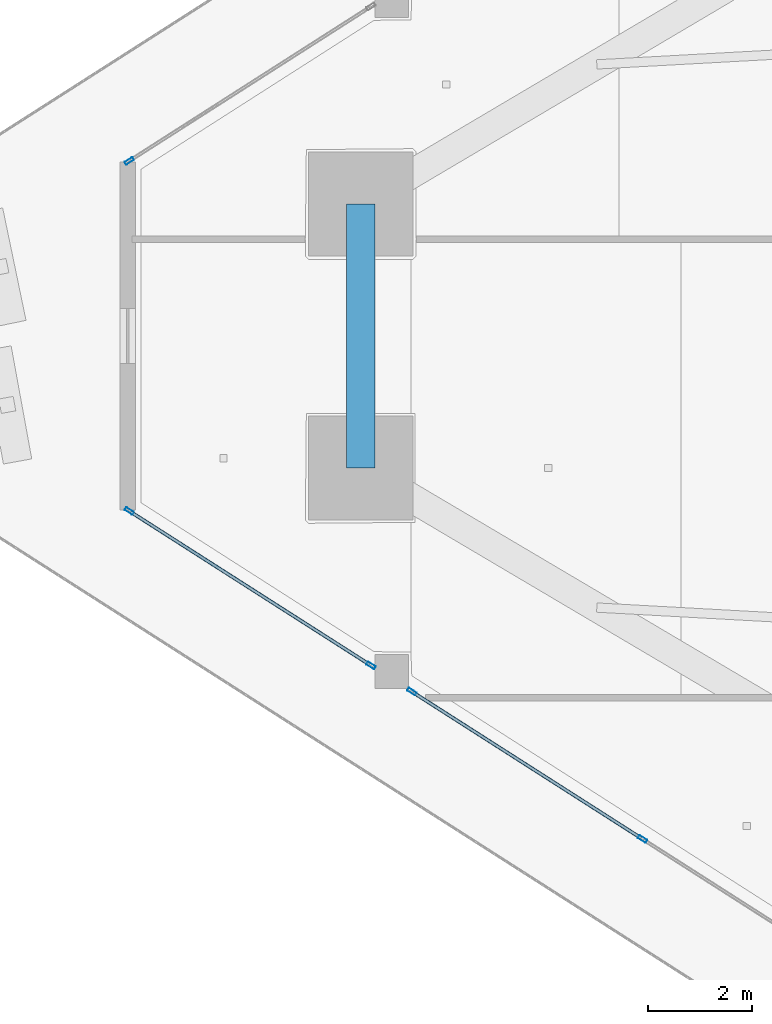
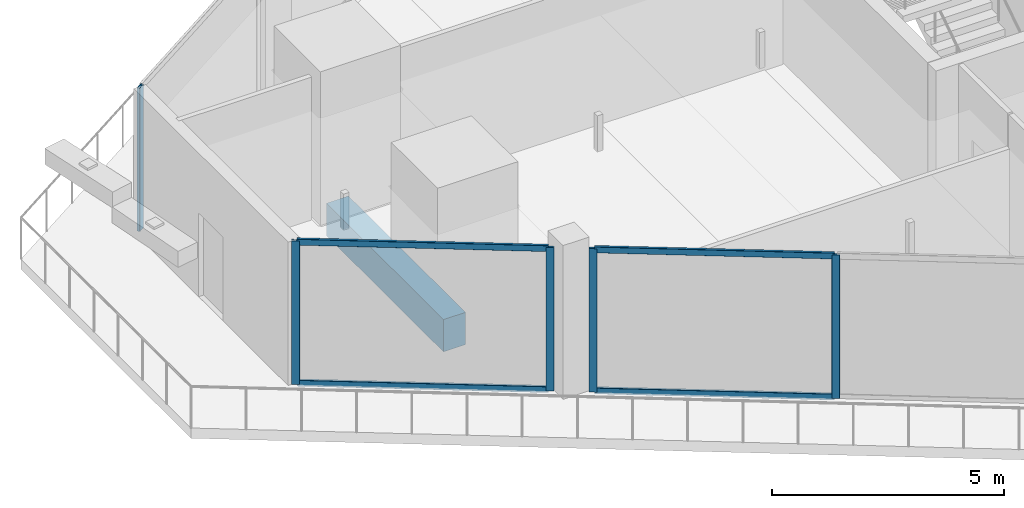
# One storey, part 6 of 33: 9 members, 1 beam, 3 elements without a shape of their own.
"""IFC4 building model written with IfcOpenShell, lengths in metres."""

from ifc_helpers import new_model, si_unit, direction, frame, origin, origin_2d, place, context, subcontext, project, spatial, rectangle, hollow_rectangle, extrude, material, layer, layer_set, material_profile, profile_set, type_object, element, aggregate, save


model = new_model("IFC4")

# Units and contexts
model_context = context("Model", 3, precision=1e-05, world=origin(), true_north=direction((0.0, 1.0)))
body_context = subcontext(model_context, "Body", "Model", "MODEL_VIEW")
ifc_project = project(units=[si_unit("LENGTHUNIT", "METRE"), si_unit("AREAUNIT", "SQUARE_METRE"), si_unit("VOLUMEUNIT", "CUBIC_METRE"), si_unit("PLANEANGLEUNIT", "RADIAN"), si_unit("MASSUNIT", "GRAM", prefix="KILO")], contexts=[model_context])

# Site, building, storey
site_placement = place(None, origin())
site = spatial("IfcSite", under=ifc_project, at=site_placement, CompositionType="ELEMENT")
building_placement = place(site_placement, origin())
building = spatial("IfcBuilding", under=site, at=building_placement, Name="Qorvath Tower", CompositionType="ELEMENT")
storey_placement = place(building_placement, frame((0.0, 0.0, 209.10009765625)))
storey = spatial("IfcBuildingStorey", under=building, at=storey_placement, Name="L48", CompositionType="ELEMENT", Elevation=209.10009765625)

# Beam
ifc_material_1 = material(Name="Concrete C50/60", Category="concrete")
ifc_material_profile_1 = material_profile(ifc_material_1, rectangle(XDim=0.550048828125, YDim=0.85009765625, at=origin_2d()), Name="RCB 850x550")
ifc_profile_set_1 = profile_set([ifc_material_profile_1], Name="Concrete C50/60")
beam_type = type_object("IfcBeamType", Name="BM-RCB2", PredefinedType="SPANDREL", material=ifc_profile_set_1)
beam_placement = place(storey_placement, frame((-49.171875, 2.52783203125, -0.695068359375), z_axis=(0.0, -1.0, 0.0), x_axis=(1.0, 0.0, 0.0)))
element("IfcBeam", 1, at=beam_placement, inside=storey, type_object=beam_type, Name="Perimeter Loggia Frame Beam MC1-MC2 L48", PredefinedType="SPANDREL", context=body_context, shape_type="SweptSolid", body=[
    extrude(rectangle(XDim=0.550048828125, YDim=0.85009765625, at=origin_2d()), origin(), (0.0, 0.0, 1.0), 5.0556640625),
])

# Curtain wall, members
ifc_material_2 = material(Name="Anodised aluminium and triple low-E glass", Category="aluminium")
ifc_layer = layer(ifc_material_2, 0.179931640625)
ifc_layer_set = layer_set([ifc_layer], Name="CW-SYS-3")
curtain_wall_type = type_object("IfcCurtainWallType", Name="CW-SYS-3", PredefinedType="NOTDEFINED", material=ifc_layer_set)
curtain_wall_1_placement = place(storey_placement, origin())
curtain_wall_1 = element("IfcCurtainWall", 2, at=curtain_wall_1_placement, inside=storey, type_object=curtain_wall_type, Name="Curtain Wall CW-3 CW-T-L48-2.1", PredefinedType="NOTDEFINED")
ifc_material_3 = material(Name="Anodised aluminium 6063-T6", Category="aluminium")
ifc_material_profile_2 = material_profile(ifc_material_3, hollow_rectangle(XDim=0.06494140625, YDim=0.179931640625, WallThickness=0.00341796875, InnerFilletRadius=0.00341796875, OuterFilletRadius=0.007080078125, at=origin_2d()), Name="CWM 180x65")
ifc_profile_set_2 = profile_set([ifc_material_profile_2], Name="Anodised aluminium 6063-T6")
member_type_1 = type_object("IfcMemberType", Name="CWM-180", PredefinedType="MULLION", material=ifc_profile_set_2)
member_1_placement = place(storey_placement, frame((-53.60546875, -3.3525390625, 0.0), z_axis=(0.0, 0.0, 1.0), x_axis=(0.538536522375, 0.842602168326, 0.0)))
member_1 = element("IfcMember", 3, at=member_1_placement, type_object=member_type_1, Name="CW-3 mullion 1", PredefinedType="MULLION", context=body_context, shape_type="SweptSolid", body=[
    extrude(hollow_rectangle(XDim=0.06494140625, YDim=0.179931640625, WallThickness=0.00341796875, InnerFilletRadius=0.00341796875, OuterFilletRadius=0.007080078125, at=origin_2d()), origin(), (0.0, 0.0, 1.0), 3.77978515625),
])
member_2_placement = place(storey_placement, frame((-48.975830078125, -6.311279296875, 0.0), z_axis=(0.0, 0.0, 1.0), x_axis=(0.538536522375, 0.842602168326, 0.0)))
member_2 = element("IfcMember", 4, at=member_2_placement, type_object=member_type_1, Name="CW-3 mullion 2", PredefinedType="MULLION", context=body_context, shape_type="SweptSolid", body=[
    extrude(hollow_rectangle(XDim=0.06494140625, YDim=0.179931640625, WallThickness=0.00341796875, InnerFilletRadius=0.00341796875, OuterFilletRadius=0.007080078125, at=origin_2d()), origin(), (0.0, 0.0, 1.0), 3.77978515625),
])

curtain_wall_2_placement = place(storey_placement, origin())
curtain_wall_2 = element("IfcCurtainWall", 5, at=curtain_wall_2_placement, inside=storey, type_object=curtain_wall_type, Name="Curtain Wall CW-3 CW-T-L48-2.2", PredefinedType="NOTDEFINED")
member_3_placement = place(storey_placement, frame((-48.1923828125, -6.812255859375, 0.0), z_axis=(0.0, 0.0, 1.0), x_axis=(0.538532547612, 0.842604708723, 0.0)))
member_3 = element("IfcMember", 6, at=member_3_placement, type_object=member_type_1, Name="CW-3 mullion 1", PredefinedType="MULLION", context=body_context, shape_type="SweptSolid", body=[
    extrude(hollow_rectangle(XDim=0.06494140625, YDim=0.179931640625, WallThickness=0.00341796875, InnerFilletRadius=0.00341796875, OuterFilletRadius=0.007080078125, at=origin_2d()), origin(), (0.0, 0.0, 1.0), 3.77978515625),
])
member_4_placement = place(storey_placement, frame((-43.77490234375, -9.635498046875, 0.0), z_axis=(0.0, 0.0, 1.0), x_axis=(0.538532547612, 0.842604708723, 0.0)))
member_4 = element("IfcMember", 7, at=member_4_placement, type_object=member_type_1, Name="CW-3 mullion 2", PredefinedType="MULLION", context=body_context, shape_type="SweptSolid", body=[
    extrude(hollow_rectangle(XDim=0.06494140625, YDim=0.179931640625, WallThickness=0.00341796875, InnerFilletRadius=0.00341796875, OuterFilletRadius=0.007080078125, at=origin_2d()), origin(), (0.0, 0.0, 1.0), 3.77978515625),
])

# Curtain wall, member
curtain_wall_3_placement = place(storey_placement, origin())
curtain_wall_3 = element("IfcCurtainWall", 8, at=curtain_wall_3_placement, inside=storey, type_object=curtain_wall_type, Name="Curtain Wall CW-3 CW-T-L48-16.2", PredefinedType="NOTDEFINED")
member_5_placement = place(storey_placement, frame((-53.60546875, 3.3525390625, 0.0), z_axis=(0.0, 0.0, 1.0), x_axis=(0.538536522375, -0.842602168326, 0.0)))
member_5 = element("IfcMember", 9, at=member_5_placement, type_object=member_type_1, Name="CW-3 mullion 2", PredefinedType="MULLION", context=body_context, shape_type="SweptSolid", body=[
    extrude(hollow_rectangle(XDim=0.06494140625, YDim=0.179931640625, WallThickness=0.00341796875, InnerFilletRadius=0.00341796875, OuterFilletRadius=0.007080078125, at=origin_2d()), origin(), (0.0, 0.0, 1.0), 3.77978515625),
])
aggregate(curtain_wall_3, [member_5])

# Member
ifc_material_4 = material(Name="Anodised aluminium 6063-T6", Category="aluminium")
ifc_material_profile_3 = material_profile(ifc_material_4, hollow_rectangle(XDim=0.06494140625, YDim=0.159912109375, WallThickness=0.00341796875, InnerFilletRadius=0.00341796875, OuterFilletRadius=0.007080078125, at=origin_2d()), Name="CWT 160x65")
ifc_profile_set_3 = profile_set([ifc_material_profile_3], Name="Anodised aluminium 6063-T6")
member_type_2 = type_object("IfcMemberType", Name="CWT-160", PredefinedType="USERDEFINED", material=ifc_profile_set_3)
member_6_placement = place(storey_placement, frame((-53.578125, -3.3701171875, 0.032470703125), z_axis=(0.842617480253, -0.538512564358, 0.0), x_axis=(0.538512564358, 0.842617480253, 0.0)))
member_6 = element("IfcMember", 10, at=member_6_placement, type_object=member_type_2, Name="CW-3 transom 1.1", ObjectType="TRANSOM", PredefinedType="USERDEFINED", context=body_context, shape_type="SweptSolid", body=[
    extrude(hollow_rectangle(XDim=0.06494140625, YDim=0.159912109375, WallThickness=0.00341796875, InnerFilletRadius=0.00341796875, OuterFilletRadius=0.007080078125, at=origin_2d()), origin(), (0.0, 0.0, 1.0), 5.429443359375),
])

member_7_placement = place(storey_placement, frame((-53.578125, -3.3701171875, 3.747314453125), z_axis=(0.842617480253, -0.538512564358, 0.0), x_axis=(0.538512564358, 0.842617480253, 0.0)))
member_7 = element("IfcMember", 11, at=member_7_placement, type_object=member_type_2, Name="CW-3 transom 1.2", ObjectType="TRANSOM", PredefinedType="USERDEFINED", context=body_context, shape_type="SweptSolid", body=[
    extrude(hollow_rectangle(XDim=0.06494140625, YDim=0.159912109375, WallThickness=0.00341796875, InnerFilletRadius=0.00341796875, OuterFilletRadius=0.007080078125, at=origin_2d()), origin(), (0.0, 0.0, 1.0), 5.429443359375),
])

aggregate(curtain_wall_1, [member_1, member_2, member_6, member_7])

member_8_placement = place(storey_placement, frame((-48.1650390625, -6.82958984375, 0.032470703125), z_axis=(0.842595813472, -0.538546465144, 0.0), x_axis=(0.538546465144, 0.842595813472, 0.0)))
member_8 = element("IfcMember", 12, at=member_8_placement, type_object=member_type_2, Name="CW-3 transom 1.1", ObjectType="TRANSOM", PredefinedType="USERDEFINED", context=body_context, shape_type="SweptSolid", body=[
    extrude(hollow_rectangle(XDim=0.06494140625, YDim=0.159912109375, WallThickness=0.00341796875, InnerFilletRadius=0.00341796875, OuterFilletRadius=0.007080078125, at=origin_2d()), origin(), (0.0, 0.0, 1.0), 5.177490234375),
])

member_9_placement = place(storey_placement, frame((-48.1650390625, -6.82958984375, 3.747314453125), z_axis=(0.842595813472, -0.538546465144, 0.0), x_axis=(0.538546465144, 0.842595813472, 0.0)))
member_9 = element("IfcMember", 13, at=member_9_placement, type_object=member_type_2, Name="CW-3 transom 1.2", ObjectType="TRANSOM", PredefinedType="USERDEFINED", context=body_context, shape_type="SweptSolid", body=[
    extrude(hollow_rectangle(XDim=0.06494140625, YDim=0.159912109375, WallThickness=0.00341796875, InnerFilletRadius=0.00341796875, OuterFilletRadius=0.007080078125, at=origin_2d()), origin(), (0.0, 0.0, 1.0), 5.177490234375),
])

aggregate(curtain_wall_2, [member_3, member_4, member_8, member_9])

save(model, "model.ifc")
